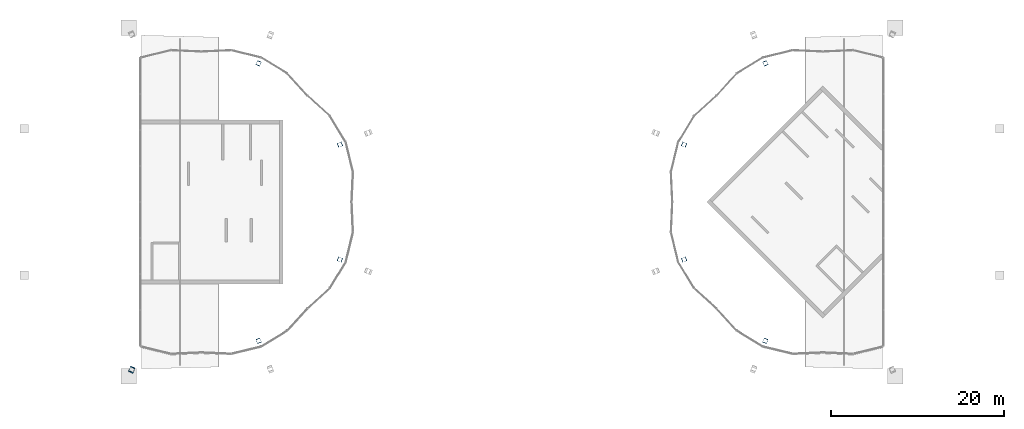
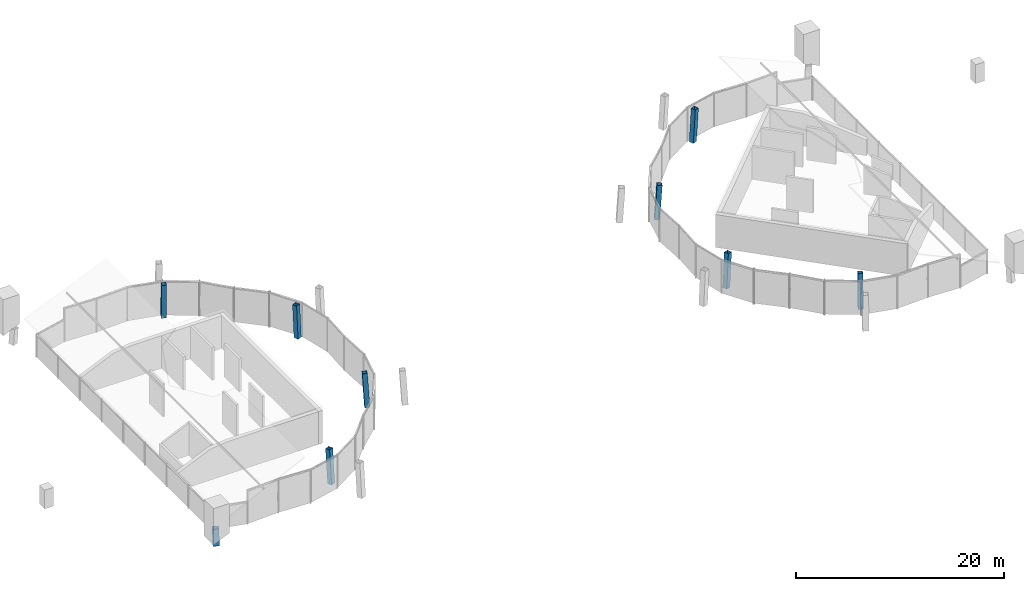
# One storey, part 1 of 14: 8 columns, 1 member.
"""IFC4 building model written with IfcOpenShell, lengths in metres."""

import ifcopenshell
import ifcopenshell.guid

model = None  # the IFC model being written
_history = None  # IfcOwnerHistory: only IFC2X3 demands one
_inside = {}  # id of a spatial element -> (the spatial element, [elements in it])
_under = {}  # id of a project, library or spatial element -> (it, [spatial elements below it])
_declared = {}  # id of a project -> (the project, [libraries it declares])
_typed = {}  # id of a type object -> (the type object, [elements of that type])
_made_of = {}  # id of a material, layer set ... -> (it, [elements and type objects made of it])


def new_model(schema):
    """Start an empty IFC model of exactly this schema.

    Asked for "IFC4X3", IfcOpenShell would pick the latest addendum, in which some entities
    have other attributes; the version numbers below select the first issue.
    IFC2X3 requires an IfcOwnerHistory on every rooted entity: one is made here for all.
    """
    global model, _history
    if schema == "IFC4X3":
        model = ifcopenshell.file(schema_version=(4, 3, 0, 0))
    else:
        model = ifcopenshell.file(schema=schema)
    _inside.clear()
    _under.clear()
    _declared.clear()
    _typed.clear()
    _made_of.clear()
    _history = None
    if model.schema == "IFC2X3":
        org = make("IfcOrganization", Name="unknown")
        user = make(
            "IfcPersonAndOrganization",
            ThePerson=make("IfcPerson", FamilyName="unknown"),
            TheOrganization=org,
        )
        app = make(
            "IfcApplication",
            ApplicationDeveloper=org,
            Version="unknown",
            ApplicationFullName="unknown",
            ApplicationIdentifier="unknown",
        )
        _history = make(
            "IfcOwnerHistory",
            OwningUser=user,
            OwningApplication=app,
            ChangeAction="ADDED",
            CreationDate=0,
        )
    return model


def make(cls, **values):
    """One entity of the class cls with the attributes given. An attribute that is None is left unset."""
    return model.create_entity(
        cls, **{name: value for name, value in values.items() if value is not None}
    )


def rooted(cls, **values):
    """An entity with a GlobalId (a new one), such as an element, a storey or a relation."""
    return make(cls, GlobalId=ifcopenshell.guid.new(), OwnerHistory=_history, **values)


def si_unit(unit_type, name, prefix=None):
    """IfcSIUnit, for example si_unit("LENGTHUNIT", "METRE", prefix="MILLI")."""
    return make("IfcSIUnit", UnitType=unit_type, Prefix=prefix, Name=name)


def assignment(units):
    """IfcUnitAssignment: the units of a project."""
    return None if units is None else make("IfcUnitAssignment", Units=units)


def point(xyz):
    """IfcCartesianPoint."""
    return None if xyz is None else make("IfcCartesianPoint", Coordinates=xyz)


def direction(xyz):
    """IfcDirection."""
    return None if xyz is None else make("IfcDirection", DirectionRatios=xyz)


def frame(location, z_axis=None, x_axis=None):
    """IfcAxis2Placement3D, a coordinate frame: its origin and axes. An axis left out is left unset."""
    return make(
        "IfcAxis2Placement3D",
        Location=point(location),
        Axis=direction(z_axis),
        RefDirection=direction(x_axis),
    )


def frame_2d(location, x_axis=None):
    """IfcAxis2Placement2D, a coordinate frame in the plane: its origin and x axis."""
    return make(
        "IfcAxis2Placement2D", Location=point(location), RefDirection=direction(x_axis)
    )


def origin():
    """The frame at (0, 0, 0) with its axes left unset."""
    return frame((0.0, 0.0, 0.0))


def origin_2d():
    """The frame at (0, 0) in the plane with its x axis left unset."""
    return frame_2d((0.0, 0.0))


def place(relative_to, where):
    """IfcLocalPlacement: puts the frame where relative to a parent placement (None: the world)."""
    return make(
        "IfcLocalPlacement", PlacementRelTo=relative_to, RelativePlacement=where
    )


def context(
    kind, dimensions, precision=None, world=None, true_north=None, identifier=None
):
    """IfcGeometricRepresentationContext, for example the 3D "Model" context."""
    return make(
        "IfcGeometricRepresentationContext",
        ContextIdentifier=identifier,
        ContextType=kind,
        CoordinateSpaceDimension=dimensions,
        Precision=precision,
        WorldCoordinateSystem=world,
        TrueNorth=true_north,
    )


def subcontext(parent, identifier, kind, view, scale=None):
    """IfcGeometricRepresentationSubContext, for example "Body" below "Model"."""
    return make(
        "IfcGeometricRepresentationSubContext",
        ContextIdentifier=identifier,
        ContextType=kind,
        ParentContext=parent,
        TargetScale=scale,
        TargetView=view,
    )


def project(units=None, contexts=None):
    """IfcProject with its units and contexts."""
    return rooted(
        "IfcProject",
        Name="project",
        RepresentationContexts=contexts,
        UnitsInContext=assignment(units),
    )


def spatial(cls, under=None, at=None, **own):
    """A site, building, storey or space (cls), placed at a placement, below another one or the project."""
    s = rooted(cls, ObjectPlacement=at, **own)
    if under is not None:
        _under.setdefault(under.id(), (under, []))[1].append(s)
    return s


def profile(cls, at=None, kind="AREA", **sizes):
    """A parametric profile (cls). Its sizes go by their IFC names, for example OverallWidth=200.0."""
    return make(cls, ProfileType=kind, Position=at, **sizes)


def hollow_rectangle(**sizes):
    """IfcRectangleHollowProfileDef."""
    return profile("IfcRectangleHollowProfileDef", **sizes)


def extrude(swept, where, along, depth):
    """IfcExtrudedAreaSolid: the profile swept, set in the frame where, extruded along a direction by depth."""
    return make(
        "IfcExtrudedAreaSolid",
        SweptArea=swept,
        Position=where,
        ExtrudedDirection=direction(along),
        Depth=depth,
    )


def shape(context_of_items, identifier, shape_type, items):
    """IfcShapeRepresentation: the items that make up one representation, for example the "Body"."""
    return make(
        "IfcShapeRepresentation",
        ContextOfItems=context_of_items,
        RepresentationIdentifier=identifier,
        RepresentationType=shape_type,
        Items=items,
    )


def material(Name=None, Category=None):
    """IfcMaterial."""
    return make("IfcMaterial", Name=Name, Category=Category)


def material_profile(
    of_material, cross_section, Name=None, Category=None, Priority=None
):
    """IfcMaterialProfile: a cross section and its material."""
    return make(
        "IfcMaterialProfile",
        Name=Name,
        Material=of_material,
        Profile=cross_section,
        Priority=Priority,
        Category=Category,
    )


def profile_set(profiles, Name=None, composite=None):
    """IfcMaterialProfileSet."""
    return make(
        "IfcMaterialProfileSet",
        Name=Name,
        MaterialProfiles=profiles,
        CompositeProfile=composite,
    )


def made_of(thing, what):
    """Note that an element or type object is made of a material, layer set ...; save() writes the relation."""
    if what is not None:
        _made_of.setdefault(what.id(), (what, []))[1].append(thing)
    return thing


def type_object(cls, material=None, **own):
    """A type object (cls), such as IfcWallType, which elements share."""
    return made_of(rooted(cls, **own), material)


def element(
    cls,
    number,
    at=None,
    inside=None,
    cuts=None,
    type_object=None,
    material=None,
    context=None,
    identifier="Body",
    shape_type=None,
    held_by="IfcProductDefinitionShape",
    body=None,
    shapes=None,
    **own,
):
    """One element of the class cls, such as IfcWall. Its Tag is "e" and its number.

    at: its placement. inside: the storey or other place that contains it. cuts: it is an
    opening in that element (IfcRelVoidsElement). A single representation is given by context,
    identifier, shape_type and body (its items); several are given by shapes. held_by: the class
    of the entity that holds the representations. save() writes the other relations.
    """
    e = rooted(cls, Tag="e%d" % number, ObjectPlacement=at, **own)
    if body is not None:
        shapes = [shape(context, identifier, shape_type, body)]
    if shapes is not None:
        e.Representation = make(held_by, Representations=shapes)
    if inside is not None:
        _inside.setdefault(inside.id(), (inside, []))[1].append(e)
    if cuts is not None:
        rooted(
            "IfcRelVoidsElement", RelatingBuildingElement=cuts, RelatedOpeningElement=e
        )
    if type_object is not None:
        _typed.setdefault(type_object.id(), (type_object, []))[1].append(e)
    return made_of(e, material)


def aggregate(whole, parts):
    """IfcRelAggregates: a whole, such as a stair, and the parts it consists of."""
    return rooted("IfcRelAggregates", RelatingObject=whole, RelatedObjects=parts)


def save(model, path):
    """Write the relations noted so far, then the file.

    IfcRelAggregates (storeys below a building ...), IfcRelContainedInSpatialStructure (elements
    in a storey), IfcRelDefinesByType, IfcRelAssociatesMaterial and IfcRelDeclares: one each for
    every whole, place, type object, material and project.
    """
    for whole, parts in _under.values():
        aggregate(whole, parts)
    for where, things in _inside.values():
        rooted(
            "IfcRelContainedInSpatialStructure",
            RelatedElements=things,
            RelatingStructure=where,
        )
    for kind, things in _typed.values():
        rooted("IfcRelDefinesByType", RelatedObjects=things, RelatingType=kind)
    for what, things in _made_of.values():
        rooted("IfcRelAssociatesMaterial", RelatedObjects=things, RelatingMaterial=what)
    for by, libraries in _declared.values():
        rooted("IfcRelDeclares", RelatingContext=by, RelatedDefinitions=libraries)
    model.write(path)


model = new_model("IFC4")

# Units and contexts
model_context = context("Model", 3, precision=1e-05, world=origin(), true_north=direction((0.0, 1.0)))
body_context = subcontext(model_context, "Body", "Model", "MODEL_VIEW")
ifc_project = project(units=[si_unit("LENGTHUNIT", "METRE"), si_unit("AREAUNIT", "SQUARE_METRE"), si_unit("VOLUMEUNIT", "CUBIC_METRE"), si_unit("PLANEANGLEUNIT", "RADIAN"), si_unit("MASSUNIT", "GRAM", prefix="KILO")], contexts=[model_context])

# Site, building, storey
site_placement = place(None, origin())
site = spatial("IfcSite", under=ifc_project, at=site_placement, CompositionType="ELEMENT")
building_placement = place(site_placement, origin())
building = spatial("IfcBuilding", under=site, at=building_placement, Name="Ogive Gate Towers", CompositionType="ELEMENT")
storey_placement = place(building_placement, frame((0.0, 0.0, 306.0)))
storey = spatial("IfcBuildingStorey", under=building, at=storey_placement, Name="L72", CompositionType="ELEMENT", Elevation=306.0)

# Columns
ifc_material = material(Name="Steel SM460", Category="steel")
ifc_material_profile_1 = material_profile(ifc_material, hollow_rectangle(XDim=0.5, YDim=0.5, WallThickness=0.030029296875, at=origin_2d()), Name="BX 500x500x30")
ifc_profile_set_1 = profile_set([ifc_material_profile_1], Name="Steel SM460")
column_type = type_object("IfcColumnType", Name="Perimeter post BX 500x500x30", PredefinedType="COLUMN", material=ifc_profile_set_1)
for number, where, z_axis, x_axis, name in (
    (1, (-19.906005859375, 6.666259765625, 0.0), (-0.056473784619, -0.023393671298, 0.998129975401), (0.382703871955, -0.923871065891, 0.0), "T1/L72/SCL001"),
    (2, (-29.333740234375, 16.093994140625, 0.0), (-0.023393671298, -0.056473784619, 0.998129975401), (0.923871065891, -0.382703871955, 0.0), "T1/L72/SCL002"),
    (3, (-29.333740234375, -16.093994140625, 0.0), (-0.023393671298, 0.056473784619, 0.998129975401), (-0.923871065891, -0.382703871955, 0.0), "T1/L72/SCL003"),
    (4, (-19.906005859375, -6.666259765625, 0.0), (-0.056473784619, 0.023393671298, 0.998129975401), (-0.382703871955, -0.923871065891, 0.0), "T1/L72/SCL004"),
    (5, (29.333740234375, 16.093994140625, 0.0), (0.023393671298, -0.056473784619, 0.998129975401), (0.923871065891, 0.382703871955, 0.0), "T2/L72/SCL001"),
    (6, (19.906005859375, 6.666259765625, 0.0), (0.056473784619, -0.023393671298, 0.998129975401), (0.382703871955, 0.923871065891, 0.0), "T2/L72/SCL002"),
    (7, (19.906005859375, -6.666259765625, 0.0), (0.056473784619, 0.023393671298, 0.998129975401), (-0.382703871955, 0.923871065891, 0.0), "T2/L72/SCL003"),
    (8, (29.333740234375, -16.093994140625, 0.0), (0.023393671298, 0.056473784619, 0.998129975401), (-0.923871065891, 0.382703871955, 0.0), "T2/L72/SCL004"),
):
    element("IfcColumn", number, at=place(storey_placement, frame(where, z_axis=z_axis, x_axis=x_axis)), inside=storey, type_object=column_type, Name=name, PredefinedType="COLUMN", context=body_context, shape_type="SweptSolid", body=[
        extrude(hollow_rectangle(XDim=0.5, YDim=0.5, WallThickness=0.030029296875, at=origin_2d()), origin(), (0.0, 0.0, 1.0), 4.007568359375),
    ])

# Member
ifc_material_profile_2 = material_profile(ifc_material, hollow_rectangle(XDim=0.60009765625, YDim=0.60009765625, WallThickness=0.0400390625, at=origin_2d()), Name="BX 600x600x40")
ifc_profile_set_2 = profile_set([ifc_material_profile_2], Name="Steel SM460")
member_type = type_object("IfcMemberType", Name="Crown rib BX 600x600x40", PredefinedType="MEMBER", material=ifc_profile_set_2)
member_placement = place(storey_placement, frame((-44.0634765625, -19.467041015625, 0.0), z_axis=(0.023316281603, 0.056315827697, 0.998140710803), x_axis=(-0.923940414925, 0.382536416134, 0.0)))
element("IfcMember", 9, at=member_placement, inside=storey, type_object=member_type, Name="T1/L72/STR004", PredefinedType="MEMBER", context=body_context, shape_type="SweptSolid", body=[
    extrude(hollow_rectangle(XDim=0.60009765625, YDim=0.60009765625, WallThickness=0.0400390625, at=origin_2d()), origin(), (0.0, 0.0, 1.0), 1.916259765625),
])

save(model, "model.ifc")
